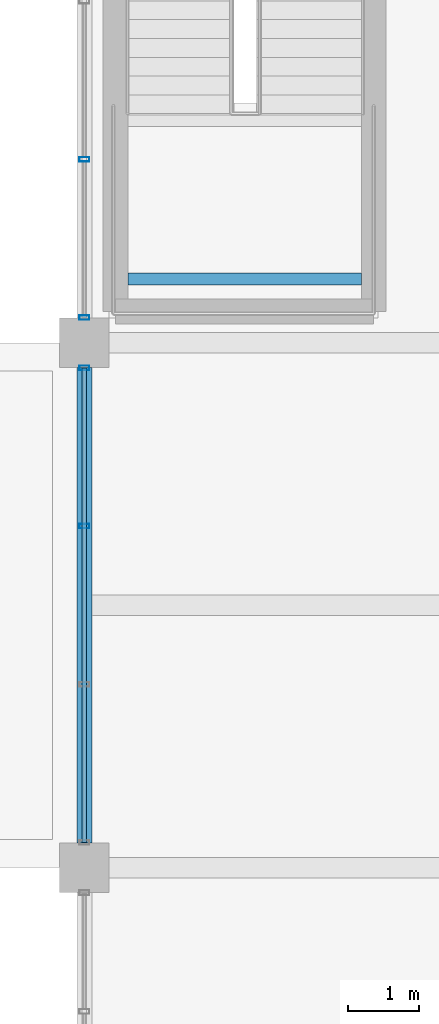
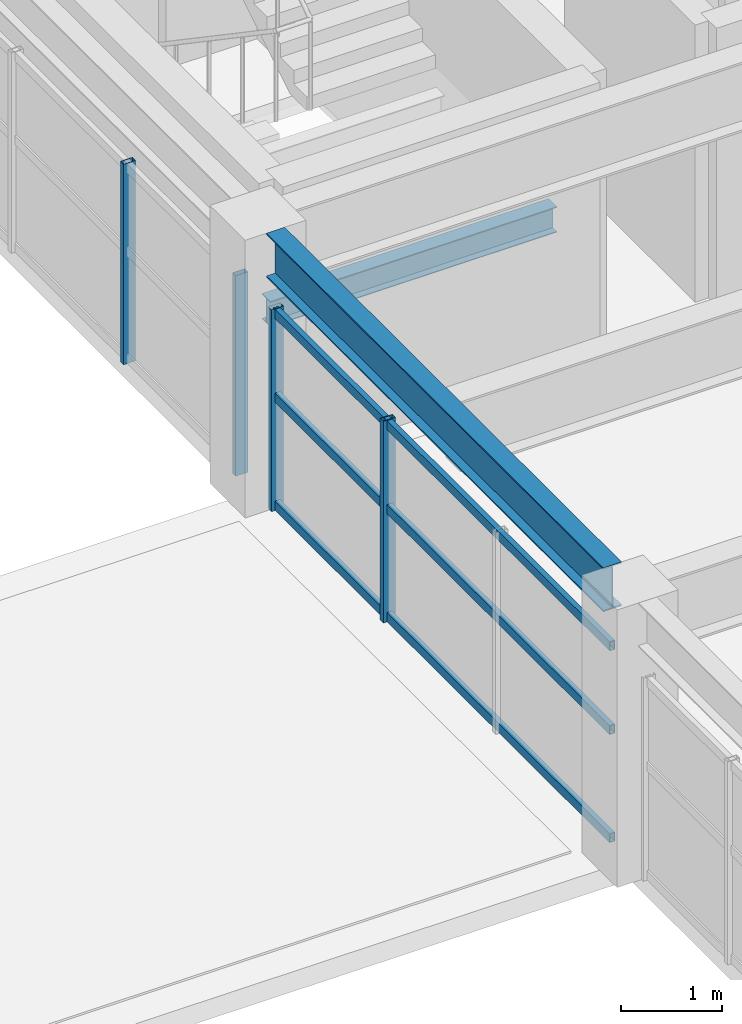
# One storey, part 28 of 121: 7 members, 2 beams, 2 elements without a shape of their own.
"""IFC4 building model written with IfcOpenShell, lengths in metres."""

from ifc_helpers import new_model, si_unit, direction, frame, origin, origin_2d, place, context, subcontext, project, spatial, hollow_rectangle, i_section, extrude, material, material_profile, profile_set, type_object, element, aggregate, save


model = new_model("IFC4")

# Units and contexts
model_context = context("Model", 3, precision=1e-05, world=origin(), true_north=direction((0.0, 1.0)))
body_context = subcontext(model_context, "Body", "Model", "MODEL_VIEW")
ifc_project = project(units=[si_unit("LENGTHUNIT", "METRE"), si_unit("AREAUNIT", "SQUARE_METRE"), si_unit("VOLUMEUNIT", "CUBIC_METRE"), si_unit("PLANEANGLEUNIT", "RADIAN"), si_unit("MASSUNIT", "GRAM", prefix="KILO")], contexts=[model_context])

# Site, building, storey
site_placement = place(None, origin())
site = spatial("IfcSite", under=ifc_project, at=site_placement, CompositionType="ELEMENT")
building_placement = place(site_placement, origin())
building = spatial("IfcBuilding", under=site, at=building_placement, Name="Cimatlan Art Gallery", CompositionType="ELEMENT")
storey_placement = place(building_placement, frame((0.0, 0.0, 10.199951171875)))
storey = spatial("IfcBuildingStorey", under=building, at=storey_placement, Name="L02", CompositionType="ELEMENT", Elevation=10.199951171875)

# Beams
ifc_material_1 = material(Name="Steel ASTM A992 Grade 50", Category="steel")
ifc_material_profile_1 = material_profile(ifc_material_1, i_section(OverallWidth=0.1650390625, OverallDepth=0.31005859375, WebThickness=0.005859375, FlangeThickness=0.009765625, at=origin_2d()), Name="W12X26")
ifc_profile_set_1 = profile_set([ifc_material_profile_1], Name="Steel ASTM A992 Grade 50")
beam_type_1 = type_object("IfcBeamType", Name="BM-STL-W12X26", PredefinedType="JOIST", material=ifc_profile_set_1)
beam_1_placement = place(storey_placement, frame((75.514892578125, 61.800048828125, 1.425048828125), z_axis=(1.0, 0.0, 0.0), x_axis=(0.0, 1.0, 0.0)))
element("IfcBeam", 1, at=beam_1_placement, inside=storey, type_object=beam_type_1, Name="BM-STR-C6-L02-LH1", PredefinedType="JOIST", context=body_context, shape_type="SweptSolid", body=[
    extrude(i_section(OverallWidth=0.1650390625, OverallDepth=0.31005859375, WebThickness=0.005859375, FlangeThickness=0.009765625, at=origin_2d()), origin(), (0.0, 0.0, 1.0), 3.2900390625),
])
ifc_material_profile_2 = material_profile(ifc_material_1, i_section(OverallWidth=0.2099609375, OverallDepth=0.532958984375, WebThickness=0.01025390625, FlangeThickness=0.015625, at=origin_2d()), Name="W21X62")
ifc_profile_set_2 = profile_set([ifc_material_profile_2], Name="Steel ASTM A992 Grade 50")
beam_type_2 = type_object("IfcBeamType", Name="BM-STL-W21X62", PredefinedType="BEAM", material=ifc_profile_set_2)
beam_2_placement = place(storey_placement, frame((74.89990234375, 53.85009765625, 3.103515625), z_axis=(0.0, 1.0, 0.0), x_axis=(-1.0, 0.0, 0.0)))
element("IfcBeam", 2, at=beam_2_placement, inside=storey, type_object=beam_type_2, Name="BM-Y-L02-09-07", PredefinedType="BEAM", context=body_context, shape_type="SweptSolid", body=[
    extrude(i_section(OverallWidth=0.2099609375, OverallDepth=0.532958984375, WebThickness=0.01025390625, FlangeThickness=0.015625, at=origin_2d()), origin(), (0.0, 0.0, 1.0), 6.699951171875),
])

# Curtain wall, members
ifc_material_2 = material(Name="Anodised bronze unitised curtain wall")
curtain_wall_type_1 = type_object("IfcCurtainWallType", Name="CW-V-06692X02449-B3", PredefinedType="NOTDEFINED", material=ifc_material_2)
curtain_wall_1_placement = place(storey_placement, origin())
curtain_wall_1 = element("IfcCurtainWall", 3, at=curtain_wall_1_placement, inside=storey, type_object=curtain_wall_type_1, Name="CW-L02-09-07-W", PredefinedType="NOTDEFINED")
ifc_material_3 = material(Name="Anodised bronze aluminium 6063-T6", Category="aluminium")
ifc_material_profile_3 = material_profile(ifc_material_3, hollow_rectangle(XDim=0.06494140625, YDim=0.139892578125, WallThickness=0.00390625, at=origin_2d()), Name="ALU65X140X4")
ifc_profile_set_3 = profile_set([ifc_material_profile_3], Name="Anodised bronze aluminium 6063-T6")
member_type_1 = type_object("IfcMemberType", Name="CW-MUL-140", PredefinedType="MULLION", material=ifc_profile_set_3)
member_1_placement = place(storey_placement, frame((74.89990234375, 58.3154296875, 0.0), z_axis=(0.0, 0.0, 1.0), x_axis=(0.0, 1.0, 0.0)))
member_1 = element("IfcMember", 4, at=member_1_placement, type_object=member_type_1, Name="CW-L02-09-07-W-M3", PredefinedType="MULLION", context=body_context, shape_type="SweptSolid", body=[
    extrude(hollow_rectangle(XDim=0.06494140625, YDim=0.139892578125, WallThickness=0.00390625, at=origin_2d()), origin(), (0.0, 0.0, 1.0), 2.448974609375),
])
member_2_placement = place(storey_placement, frame((74.89990234375, 60.5458984375, 0.0), z_axis=(0.0, 0.0, 1.0), x_axis=(0.0, 1.0, 0.0)))
member_2 = element("IfcMember", 5, at=member_2_placement, type_object=member_type_1, Name="CW-L02-09-07-W-M4", PredefinedType="MULLION", context=body_context, shape_type="SweptSolid", body=[
    extrude(hollow_rectangle(XDim=0.06494140625, YDim=0.139892578125, WallThickness=0.00390625, at=origin_2d()), origin(), (0.0, 0.0, 1.0), 2.448974609375),
])

curtain_wall_type_2 = type_object("IfcCurtainWallType", Name="CW-V-06692X02434-B3", PredefinedType="NOTDEFINED", material=ifc_material_2)
curtain_wall_2_placement = place(storey_placement, origin())
curtain_wall_2 = element("IfcCurtainWall", 6, at=curtain_wall_2_placement, inside=storey, type_object=curtain_wall_type_2, Name="CW-L02-09-08-W", PredefinedType="NOTDEFINED")
member_3_placement = place(storey_placement, frame((74.89990234375, 61.25390625, 0.0), z_axis=(0.0, 0.0, 1.0), x_axis=(0.0, 1.0, 0.0)))
member_3 = element("IfcMember", 7, at=member_3_placement, type_object=member_type_1, Name="CW-L02-09-08-W-M1", PredefinedType="MULLION", context=body_context, shape_type="SweptSolid", body=[
    extrude(hollow_rectangle(XDim=0.06494140625, YDim=0.139892578125, WallThickness=0.00390625, at=origin_2d()), origin(), (0.0, 0.0, 1.0), 2.43408203125),
])
member_4_placement = place(storey_placement, frame((74.89990234375, 63.484619140625, 0.0), z_axis=(0.0, 0.0, 1.0), x_axis=(0.0, 1.0, 0.0)))
member_4 = element("IfcMember", 8, at=member_4_placement, type_object=member_type_1, Name="CW-L02-09-08-W-M2", PredefinedType="MULLION", context=body_context, shape_type="SweptSolid", body=[
    extrude(hollow_rectangle(XDim=0.06494140625, YDim=0.139892578125, WallThickness=0.00390625, at=origin_2d()), origin(), (0.0, 0.0, 1.0), 2.43408203125),
])
aggregate(curtain_wall_2, [member_3, member_4])

# Member
ifc_material_profile_4 = material_profile(ifc_material_3, hollow_rectangle(XDim=0.06005859375, YDim=0.110107421875, WallThickness=0.00341796875, at=origin_2d()), Name="ALU60X110X3")
ifc_profile_set_4 = profile_set([ifc_material_profile_4], Name="Anodised bronze aluminium 6063-T6")
member_type_2 = type_object("IfcMemberType", Name="CW-TRN-110", PredefinedType="USERDEFINED", material=ifc_profile_set_4)
member_5_placement = place(storey_placement, frame((74.89990234375, 53.85400390625, 0.06005859375), z_axis=(0.0, 1.0, 0.0), x_axis=(-1.0, 0.0, 0.0)))
member_5 = element("IfcMember", 9, at=member_5_placement, type_object=member_type_2, Name="CW-L02-09-07-W-T1", ObjectType="TRANSOM", PredefinedType="USERDEFINED", context=body_context, shape_type="SweptSolid", body=[
    extrude(hollow_rectangle(XDim=0.06005859375, YDim=0.110107421875, WallThickness=0.00341796875, at=origin_2d()), origin(), (0.0, 0.0, 1.0), 6.69189453125),
])

member_6_placement = place(storey_placement, frame((74.89990234375, 53.85400390625, 1.371337890625), z_axis=(0.0, 1.0, 0.0), x_axis=(-1.0, 0.0, 0.0)))
member_6 = element("IfcMember", 10, at=member_6_placement, type_object=member_type_2, Name="CW-L02-09-07-W-T2", ObjectType="TRANSOM", PredefinedType="USERDEFINED", context=body_context, shape_type="SweptSolid", body=[
    extrude(hollow_rectangle(XDim=0.06005859375, YDim=0.110107421875, WallThickness=0.00341796875, at=origin_2d()), origin(), (0.0, 0.0, 1.0), 6.69189453125),
])

member_7_placement = place(storey_placement, frame((74.89990234375, 53.85400390625, 2.38916015625), z_axis=(0.0, 1.0, 0.0), x_axis=(-1.0, 0.0, 0.0)))
member_7 = element("IfcMember", 11, at=member_7_placement, type_object=member_type_2, Name="CW-L02-09-07-W-T3", ObjectType="TRANSOM", PredefinedType="USERDEFINED", context=body_context, shape_type="SweptSolid", body=[
    extrude(hollow_rectangle(XDim=0.06005859375, YDim=0.110107421875, WallThickness=0.00341796875, at=origin_2d()), origin(), (0.0, 0.0, 1.0), 6.69189453125),
])

aggregate(curtain_wall_1, [member_1, member_2, member_5, member_6, member_7])

save(model, "model.ifc")
